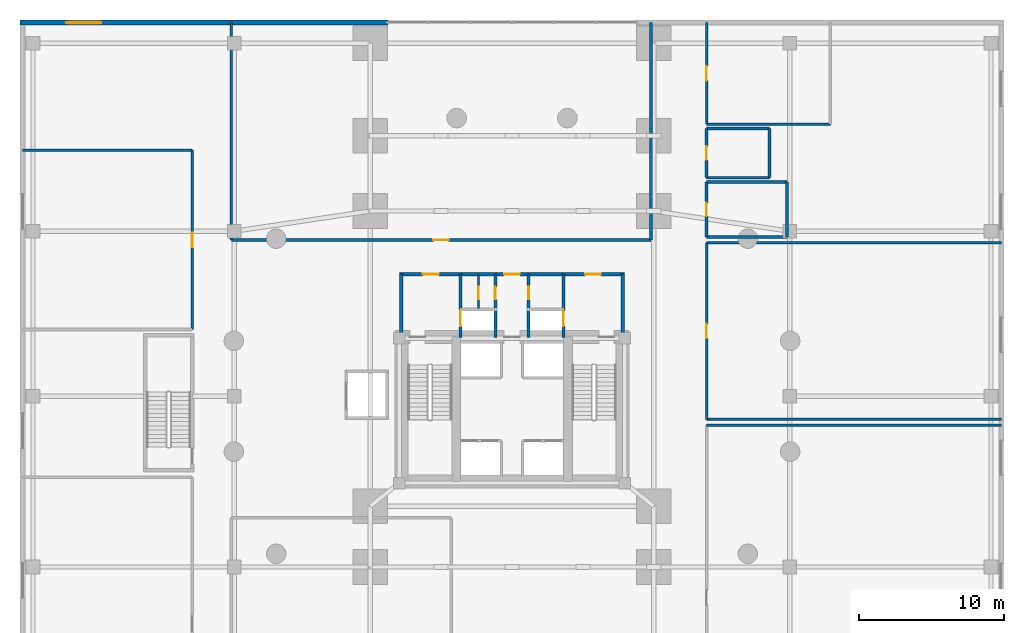
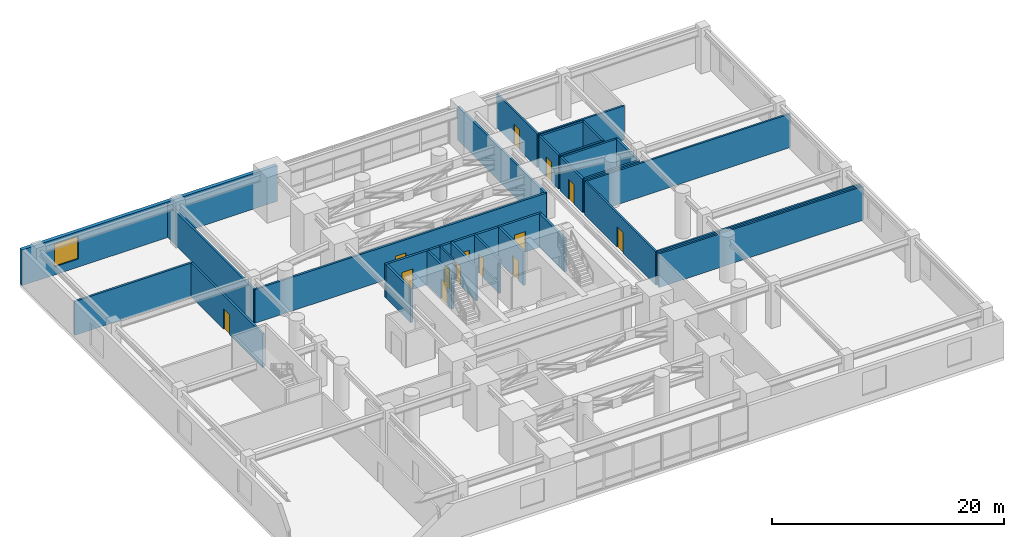
# One storey, part 15 of 17: 30 walls, 14 doors, 1 window, 15 openings.
"""IFC4 building model written with IfcOpenShell, lengths in metres."""

from ifc_helpers import new_model, si_unit, direction, frame, frame_2d, origin, place, context, subcontext, project, spatial, rectangle, extrude, material, layer, layer_set, type_object, element, fill, save


model = new_model("IFC4")

# Units and contexts
model_context = context("Model", 3, precision=1e-05, world=origin(), true_north=direction((0.0, 1.0)))
body_context = subcontext(model_context, "Body", "Model", "MODEL_VIEW")
ifc_project = project(units=[si_unit("LENGTHUNIT", "METRE"), si_unit("AREAUNIT", "SQUARE_METRE"), si_unit("VOLUMEUNIT", "CUBIC_METRE"), si_unit("PLANEANGLEUNIT", "RADIAN"), si_unit("MASSUNIT", "GRAM", prefix="KILO"), si_unit("THERMODYNAMICTEMPERATUREUNIT", "KELVIN"), si_unit("POWERUNIT", "WATT")], contexts=[model_context])

# Site, building, storey
site_placement = place(None, origin())
site = spatial("IfcSite", under=ifc_project, at=site_placement, CompositionType="ELEMENT")
building_placement = place(site_placement, origin())
building = spatial("IfcBuilding", under=site, at=building_placement, Name="Ocrelia Relay Tower", CompositionType="ELEMENT")
storey_placement = place(building_placement, frame((0.0, 0.0, 20.39990234375)))
storey = spatial("IfcBuildingStorey", under=building, at=storey_placement, Name="L04", CompositionType="ELEMENT", Elevation=20.39990234375)

# Wall
ifc_material_1 = material(Name="Gypsum Fireboard Partition EI60", Category="gypsum")
ifc_layer_1 = layer(ifc_material_1, 0.179931640625, Name="Gypsum Fireboard Partition EI60")
ifc_layer_set_1 = layer_set([ifc_layer_1], Name="Gypsum Fireboard Partition EI60")
wall_type_1 = type_object("IfcWallType", Name="W-CORR-EI60-180", PredefinedType="PARTITIONING", material=ifc_layer_set_1)
wall_1_placement = place(storey_placement, frame((67.820068359375, 24.0, 0.0), z_axis=(0.0, 0.0, 1.0), x_axis=(-1.0, 0.0, 0.0)))
element("IfcWall", 1, at=wall_1_placement, inside=storey, type_object=wall_type_1, Name="L04 Optical Peering Exchange Hall N Partition", PredefinedType="PARTITIONING", context=body_context, shape_type="SweptSolid", body=[
    extrude(rectangle(XDim=20.3701171875, YDim=0.179931640625, at=frame_2d((10.18505859375, 0.0))), origin(), (0.0, 0.0, 1.0), 3.56005859375),
])

# Wall, opening, door
wall_2_placement = place(storey_placement, frame((47.449951171875, 36.60009765625, 0.0), z_axis=(0.0, 0.0, 1.0), x_axis=(0.0, -1.0, 0.0)))
wall_2 = element("IfcWall", 2, at=wall_2_placement, inside=storey, type_object=wall_type_1, Name="L04 Infrastructure Planning Office W Partition", PredefinedType="PARTITIONING", context=body_context, shape_type="SweptSolid", body=[
    extrude(rectangle(XDim=12.2001953125, YDim=0.179931640625, at=frame_2d((6.10009765625, 0.0))), origin(), (0.0, 0.0, 1.0), 3.56005859375),
])
opening_1_placement = place(wall_2_placement, frame((5.60009765625, 0.0, 0.0)))
opening_1 = element("IfcOpeningElement", 3, at=opening_1_placement, cuts=wall_2, Name="Opening D-RM100", PredefinedType="OPENING", context=body_context, shape_type="SweptSolid", body=[
    extrude(rectangle(XDim=1.0, YDim=2.14990234375, at=frame_2d((0.5, 1.074951171875))), frame((0.0, 0.10009765625, 0.0), z_axis=(0.0, -1.0, 0.0), x_axis=(1.0, 0.0, 0.0)), (0.0, 0.0, 1.0), 0.199951171875),
])
ifc_material_2 = material(Name="Acoustic oak veneer fire door", Category="wood")
door_type_1 = type_object("IfcDoorType", Name="DR-ROOM-FD60-1000", OperationType="NOTDEFINED", PredefinedType="DOOR", material=ifc_material_2)
door_1_placement = place(opening_1_placement, origin())
door_1 = element("IfcDoor", 4, at=door_1_placement, inside=storey, type_object=door_type_1, Name="L04 Infrastructure Planning Office Door", OperationType="SINGLE_SWING_LEFT", OverallHeight=2.14990234375, OverallWidth=1.0, PredefinedType="DOOR", context=body_context, shape_type="SweptSolid", body=[
    extrude(rectangle(XDim=1.0, YDim=2.14990234375, at=frame_2d((0.5, 1.074951171875))), frame((0.0, 0.02490234375, 0.0), z_axis=(0.0, -1.0, 0.0), x_axis=(1.0, 0.0, 0.0)), (0.0, 0.0, 1.0), 0.050048828125),
])
fill(opening_1, door_1)

# Walls
for number, where, z_axis, x_axis, name in (
    (5, (47.449951171875, 24.39990234375, 0.0), (0.0, 0.0, 1.0), (1.0, 0.0, 0.0), "L04 Infrastructure Planning Office S Partition"),
    (6, (67.820068359375, 36.60009765625, 0.0), (0.0, 0.0, 1.0), (-1.0, 0.0, 0.0), "L04 Infrastructure Planning Office N Partition"),
):
    element("IfcWall", number, at=place(storey_placement, frame(where, z_axis=z_axis, x_axis=x_axis)), inside=storey, type_object=wall_type_1, Name=name, PredefinedType="PARTITIONING", context=body_context, shape_type="SweptSolid", body=[
        extrude(rectangle(XDim=20.3701171875, YDim=0.179931640625, at=frame_2d((10.18505859375, 0.0))), origin(), (0.0, 0.0, 1.0), 3.56005859375),
    ])

# Wall, opening, door
wall_3_placement = place(storey_placement, frame((47.449951171875, 51.820068359375, 0.0), z_axis=(0.0, 0.0, 1.0), x_axis=(0.0, -1.0, 0.0)))
wall_3 = element("IfcWall", 7, at=wall_3_placement, inside=storey, type_object=wall_type_1, Name="L04 Terrace Reading Lounge W Partition", PredefinedType="PARTITIONING", context=body_context, shape_type="SweptSolid", body=[
    extrude(rectangle(XDim=7.02001953125, YDim=0.179931640625, at=frame_2d((3.510009765625, 0.0))), origin(), (0.0, 0.0, 1.0), 3.56005859375),
])
opening_2_placement = place(wall_3_placement, frame((3.010009765625, 0.0, 0.0)))
opening_2 = element("IfcOpeningElement", 8, at=opening_2_placement, cuts=wall_3, Name="Opening D-RM100", PredefinedType="OPENING", context=body_context, shape_type="SweptSolid", body=[
    extrude(rectangle(XDim=1.0, YDim=2.14990234375, at=frame_2d((0.5, 1.074951171875))), frame((0.0, 0.10009765625, 0.0), z_axis=(0.0, -1.0, 0.0), x_axis=(1.0, 0.0, 0.0)), (0.0, 0.0, 1.0), 0.199951171875),
])
door_2_placement = place(opening_2_placement, origin())
door_2 = element("IfcDoor", 9, at=door_2_placement, inside=storey, type_object=door_type_1, Name="L04 Terrace Reading Lounge Door", OperationType="SINGLE_SWING_RIGHT", OverallHeight=2.14990234375, OverallWidth=1.0, PredefinedType="DOOR", context=body_context, shape_type="SweptSolid", body=[
    extrude(rectangle(XDim=1.0, YDim=2.14990234375, at=frame_2d((0.5, 1.074951171875))), frame((0.0, 0.02490234375, 0.0), z_axis=(0.0, -1.0, 0.0), x_axis=(1.0, 0.0, 0.0)), (0.0, 0.0, 1.0), 0.050048828125),
])
fill(opening_2, door_2)

# Wall
wall_4_placement = place(storey_placement, frame((47.449951171875, 44.800048828125, 0.0), z_axis=(0.0, 0.0, 1.0), x_axis=(1.0, 0.0, 0.0)))
element("IfcWall", 10, at=wall_4_placement, inside=storey, type_object=wall_type_1, Name="L04 Terrace Reading Lounge S Partition", PredefinedType="PARTITIONING", context=body_context, shape_type="SweptSolid", body=[
    extrude(rectangle(XDim=8.550048828125, YDim=0.179931640625, at=frame_2d((4.27490234375, 0.0))), origin(), (0.0, 0.0, 1.0), 3.56005859375),
])

# Wall, opening, window
ifc_material_3 = material(Name="Precast concrete C40/50 with oxide terracotta", Category="masonry")
ifc_layer_2 = layer(ifc_material_3, 0.35009765625, Name="Precast concrete C40/50 with oxide terracotta")
ifc_layer_set_2 = layer_set([ifc_layer_2], Name="Precast concrete C40/50 with oxide terracotta")
wall_type_2 = type_object("IfcWallType", Name="W-EXT-POD-350", PredefinedType="SOLIDWALL", material=ifc_layer_set_2)
wall_5_placement = place(storey_placement, frame((0.010009765625, 51.820068359375, 0.0), z_axis=(0.0, 0.0, 1.0), x_axis=(1.0, 0.0, 0.0)))
wall_5 = element("IfcWall", 11, at=wall_5_placement, inside=storey, type_object=wall_type_2, Name="L04 Oxide Terracotta Podium Wall WN", PredefinedType="SOLIDWALL", context=body_context, shape_type="SweptSolid", body=[
    extrude(rectangle(XDim=25.419921875, YDim=0.35009765625, at=frame_2d((12.7099609375, 0.0))), origin(), (0.0, 0.0, 1.0), 3.760009765625),
])
opening_3_placement = place(wall_5_placement, frame((3.199951171875, 0.0, 0.85009765625)))
opening_3 = element("IfcOpeningElement", 12, at=opening_3_placement, cuts=wall_5, Name="Opening W-01", PredefinedType="OPENING", context=body_context, shape_type="SweptSolid", body=[
    extrude(rectangle(XDim=2.39990234375, YDim=2.39990234375, at=frame_2d((1.199951171875, 1.199951171875))), frame((0.0, 0.18505859375, 0.0), z_axis=(0.0, -1.0, 0.0), x_axis=(1.0, 0.0, 0.0)), (0.0, 0.0, 1.0), 0.3701171875),
])
ifc_material_4 = material(Name="Clear double-glazed low-E glass", Category="glass")
window_type = type_object("IfcWindowType", Name="WIN-POD-2400x2600", PartitioningType="SINGLE_PANEL", PredefinedType="WINDOW", material=ifc_material_4)
window_placement = place(opening_3_placement, origin())
window = element("IfcWindow", 13, at=window_placement, inside=storey, type_object=window_type, Name="L04 Podium Punched Window WN-1", OverallHeight=2.39990234375, OverallWidth=2.39990234375, PartitioningType="SINGLE_PANEL", PredefinedType="WINDOW", context=body_context, shape_type="SweptSolid", body=[
    extrude(rectangle(XDim=2.39990234375, YDim=2.39990234375, at=frame_2d((1.199951171875, 1.199951171875))), frame((0.0, 0.030029296875, 0.0), z_axis=(0.0, -1.0, 0.0), x_axis=(1.0, 0.0, 0.0)), (0.0, 0.0, 1.0), 0.06005859375),
])
fill(opening_3, window)

# Wall
ifc_material_5 = material(Name="Concrete C50/60", Category="concrete")
ifc_layer_3 = layer(ifc_material_5, 0.219970703125, Name="Concrete C50/60")
ifc_layer_set_3 = layer_set([ifc_layer_3], Name="Concrete C50/60")
wall_type_3 = type_object("IfcWallType", Name="W-FFL-EI120-220", PredefinedType="SOLIDWALL", material=ifc_layer_set_3)
wall_6_placement = place(storey_placement, frame((26.35009765625, 30.050048828125, 0.0), z_axis=(0.0, 0.0, 1.0), x_axis=(0.0, 1.0, 0.0)))
element("IfcWall", 14, at=wall_6_placement, inside=storey, type_object=wall_type_3, Name="L04 W Fire Service Lift Lobby West Wall", PredefinedType="SOLIDWALL", context=body_context, shape_type="SweptSolid", body=[
    extrude(rectangle(XDim=4.3798828125, YDim=0.219970703125, at=frame_2d((2.18994140625, 0.0))), origin(), (0.0, 0.0, 1.0), 3.56005859375),
])

# Wall, opening, door
wall_7_placement = place(storey_placement, frame((30.43994140625, 30.050048828125, 0.0), z_axis=(0.0, 0.0, 1.0), x_axis=(0.0, 1.0, 0.0)))
wall_7 = element("IfcWall", 15, at=wall_7_placement, inside=storey, type_object=wall_type_3, Name="L04 W Fire Service Lift Lobby East Wall", PredefinedType="SOLIDWALL", context=body_context, shape_type="SweptSolid", body=[
    extrude(rectangle(XDim=4.3798828125, YDim=0.219970703125, at=frame_2d((2.18994140625, 0.0))), origin(), (0.0, 0.0, 1.0), 3.56005859375),
])
opening_4_placement = place(wall_7_placement, frame((0.800048828125, 0.0, 0.0)))
opening_4 = element("IfcOpeningElement", 16, at=opening_4_placement, cuts=wall_7, Name="Opening LD-FFL1", PredefinedType="OPENING", context=body_context, shape_type="SweptSolid", body=[
    extrude(rectangle(XDim=1.050048828125, YDim=2.10009765625, at=frame_2d((0.52490234375, 1.050048828125))), frame((0.0, 0.1201171875, 0.0), z_axis=(0.0, -1.0, 0.0), x_axis=(1.0, 0.0, 0.0)), (0.0, 0.0, 1.0), 0.239990234375),
])
ifc_material_6 = material(Name="Brushed stainless steel S355 lift landing door", Category="steel")
door_type_2 = type_object("IfcDoorType", Name="DR-LIFT-LAND-1050", OperationType="DOUBLE_DOOR_SLIDING", PredefinedType="USERDEFINED", material=ifc_material_6)
door_3_placement = place(opening_4_placement, origin())
door_3 = element("IfcDoor", 17, at=door_3_placement, inside=storey, type_object=door_type_2, Name="L04 Firefighting Lift FFL1 Sliding Landing Door", ObjectType="LANDING DOOR", OperationType="DOUBLE_DOOR_SLIDING", OverallHeight=2.10009765625, OverallWidth=1.050048828125, PredefinedType="USERDEFINED", context=body_context, shape_type="SweptSolid", body=[
    extrude(rectangle(XDim=1.050048828125, YDim=2.10009765625, at=frame_2d((0.52490234375, 1.050048828125))), frame((0.0, 0.02490234375, 0.0), z_axis=(0.0, -1.0, 0.0), x_axis=(1.0, 0.0, 0.0)), (0.0, 0.0, 1.0), 0.050048828125),
])
fill(opening_4, door_3)

wall_8_placement = place(storey_placement, frame((26.239990234375, 34.429931640625, 0.0), z_axis=(0.0, 0.0, 1.0), x_axis=(1.0, 0.0, 0.0)))
wall_8 = element("IfcWall", 18, at=wall_8_placement, inside=storey, type_object=wall_type_3, Name="L04 W Fire Service Lift Lobby North Wall", PredefinedType="SOLIDWALL", context=body_context, shape_type="SweptSolid", body=[
    extrude(rectangle(XDim=4.31005859375, YDim=0.219970703125, at=frame_2d((2.155029296875, 0.0))), origin(), (0.0, 0.0, 1.0), 3.56005859375),
])
opening_5_placement = place(wall_8_placement, frame((1.60009765625, 0.0, 0.0)))
opening_5 = element("IfcOpeningElement", 19, at=opening_5_placement, cuts=wall_8, Name="Opening D-FD60", PredefinedType="OPENING", context=body_context, shape_type="SweptSolid", body=[
    extrude(rectangle(XDim=1.10009765625, YDim=2.14990234375, at=frame_2d((0.550048828125, 1.074951171875))), frame((0.0, 0.1201171875, 0.0), z_axis=(0.0, -1.0, 0.0), x_axis=(1.0, 0.0, 0.0)), (0.0, 0.0, 1.0), 0.239990234375),
])
ifc_material_7 = material(Name="Timber-core 60-min acoustic fire door", Category="wood")
door_type_3 = type_object("IfcDoorType", Name="DR-LOBBY-FD60-1100", OperationType="NOTDEFINED", PredefinedType="DOOR", material=ifc_material_7)
door_4_placement = place(opening_5_placement, origin())
door_4 = element("IfcDoor", 20, at=door_4_placement, inside=storey, type_object=door_type_3, Name="L04 W Fire Service Lift Lobby Exit Door", OperationType="SINGLE_SWING_LEFT", OverallHeight=2.14990234375, OverallWidth=1.10009765625, PredefinedType="DOOR", context=body_context, shape_type="SweptSolid", body=[
    extrude(rectangle(XDim=1.10009765625, YDim=2.14990234375, at=frame_2d((0.550048828125, 1.074951171875))), frame((0.0, 0.02490234375, 0.0), z_axis=(0.0, -1.0, 0.0), x_axis=(1.0, 0.0, 0.0)), (0.0, 0.0, 1.0), 0.050048828125),
])
fill(opening_5, door_4)

wall_9_placement = place(storey_placement, frame((37.56005859375, 30.050048828125, 0.0), z_axis=(0.0, 0.0, 1.0), x_axis=(0.0, 1.0, 0.0)))
wall_9 = element("IfcWall", 21, at=wall_9_placement, inside=storey, type_object=wall_type_3, Name="L04 E Fire Service Lift Lobby West Wall", PredefinedType="SOLIDWALL", context=body_context, shape_type="SweptSolid", body=[
    extrude(rectangle(XDim=4.3798828125, YDim=0.219970703125, at=frame_2d((2.18994140625, 0.0))), origin(), (0.0, 0.0, 1.0), 3.56005859375),
])
opening_6_placement = place(wall_9_placement, frame((0.800048828125, 0.0, 0.0)))
opening_6 = element("IfcOpeningElement", 22, at=opening_6_placement, cuts=wall_9, Name="Opening LD-FFL2", PredefinedType="OPENING", context=body_context, shape_type="SweptSolid", body=[
    extrude(rectangle(XDim=1.050048828125, YDim=2.10009765625, at=frame_2d((0.52490234375, 1.050048828125))), frame((0.0, 0.1201171875, 0.0), z_axis=(0.0, -1.0, 0.0), x_axis=(1.0, 0.0, 0.0)), (0.0, 0.0, 1.0), 0.239990234375),
])
door_5_placement = place(opening_6_placement, origin())
door_5 = element("IfcDoor", 23, at=door_5_placement, inside=storey, type_object=door_type_2, Name="L04 Firefighting Lift FFL2 Sliding Landing Door", ObjectType="LANDING DOOR", OperationType="DOUBLE_DOOR_SLIDING", OverallHeight=2.10009765625, OverallWidth=1.050048828125, PredefinedType="USERDEFINED", context=body_context, shape_type="SweptSolid", body=[
    extrude(rectangle(XDim=1.050048828125, YDim=2.10009765625, at=frame_2d((0.52490234375, 1.050048828125))), frame((0.0, 0.02490234375, 0.0), z_axis=(0.0, -1.0, 0.0), x_axis=(1.0, 0.0, 0.0)), (0.0, 0.0, 1.0), 0.050048828125),
])
fill(opening_6, door_5)

# Wall
wall_10_placement = place(storey_placement, frame((41.64990234375, 30.050048828125, 0.0), z_axis=(0.0, 0.0, 1.0), x_axis=(0.0, 1.0, 0.0)))
element("IfcWall", 24, at=wall_10_placement, inside=storey, type_object=wall_type_3, Name="L04 E Fire Service Lift Lobby East Wall", PredefinedType="SOLIDWALL", context=body_context, shape_type="SweptSolid", body=[
    extrude(rectangle(XDim=4.3798828125, YDim=0.219970703125, at=frame_2d((2.18994140625, 0.0))), origin(), (0.0, 0.0, 1.0), 3.56005859375),
])

# Wall, opening, door
wall_11_placement = place(storey_placement, frame((37.449951171875, 34.429931640625, 0.0), z_axis=(0.0, 0.0, 1.0), x_axis=(1.0, 0.0, 0.0)))
wall_11 = element("IfcWall", 25, at=wall_11_placement, inside=storey, type_object=wall_type_3, Name="L04 E Fire Service Lift Lobby North Wall", PredefinedType="SOLIDWALL", context=body_context, shape_type="SweptSolid", body=[
    extrude(rectangle(XDim=4.31005859375, YDim=0.219970703125, at=frame_2d((2.155029296875, 0.0))), origin(), (0.0, 0.0, 1.0), 3.56005859375),
])
opening_7_placement = place(wall_11_placement, frame((1.60009765625, 0.0, 0.0)))
opening_7 = element("IfcOpeningElement", 26, at=opening_7_placement, cuts=wall_11, Name="Opening D-FD60", PredefinedType="OPENING", context=body_context, shape_type="SweptSolid", body=[
    extrude(rectangle(XDim=1.10009765625, YDim=2.14990234375, at=frame_2d((0.550048828125, 1.074951171875))), frame((0.0, 0.1201171875, 0.0), z_axis=(0.0, -1.0, 0.0), x_axis=(1.0, 0.0, 0.0)), (0.0, 0.0, 1.0), 0.239990234375),
])
door_6_placement = place(opening_7_placement, origin())
door_6 = element("IfcDoor", 27, at=door_6_placement, inside=storey, type_object=door_type_3, Name="L04 E Fire Service Lift Lobby Exit Door", OperationType="SINGLE_SWING_LEFT", OverallHeight=2.14990234375, OverallWidth=1.10009765625, PredefinedType="DOOR", context=body_context, shape_type="SweptSolid", body=[
    extrude(rectangle(XDim=1.10009765625, YDim=2.14990234375, at=frame_2d((0.550048828125, 1.074951171875))), frame((0.0, 0.02490234375, 0.0), z_axis=(0.0, -1.0, 0.0), x_axis=(1.0, 0.0, 0.0)), (0.0, 0.0, 1.0), 0.050048828125),
])
fill(opening_7, door_6)

wall_12_placement = place(storey_placement, frame((30.43994140625, 34.429931640625, 0.0), z_axis=(0.0, 0.0, 1.0), x_axis=(1.0, 0.0, 0.0)))
wall_12 = element("IfcWall", 28, at=wall_12_placement, inside=storey, type_object=wall_type_3, Name="L04 North Core Vestibule Wall", PredefinedType="SOLIDWALL", context=body_context, shape_type="SweptSolid", body=[
    extrude(rectangle(XDim=7.1201171875, YDim=0.219970703125, at=frame_2d((3.56005859375, 0.0))), origin(), (0.0, 0.0, 1.0), 3.56005859375),
])
opening_8_placement = place(wall_12_placement, frame((3.010009765625, 0.0, 0.0)))
opening_8 = element("IfcOpeningElement", 29, at=opening_8_placement, cuts=wall_12, Name="Opening D-FD60", PredefinedType="OPENING", context=body_context, shape_type="SweptSolid", body=[
    extrude(rectangle(XDim=1.10009765625, YDim=2.14990234375, at=frame_2d((0.550048828125, 1.074951171875))), frame((0.0, 0.1201171875, 0.0), z_axis=(0.0, -1.0, 0.0), x_axis=(1.0, 0.0, 0.0)), (0.0, 0.0, 1.0), 0.239990234375),
])
door_7_placement = place(opening_8_placement, origin())
door_7 = element("IfcDoor", 30, at=door_7_placement, inside=storey, type_object=door_type_3, Name="L04 North Core Vestibule Corridor Door", OperationType="SINGLE_SWING_LEFT", OverallHeight=2.14990234375, OverallWidth=1.10009765625, PredefinedType="DOOR", context=body_context, shape_type="SweptSolid", body=[
    extrude(rectangle(XDim=1.10009765625, YDim=2.14990234375, at=frame_2d((0.550048828125, 1.074951171875))), frame((0.0, 0.02490234375, 0.0), z_axis=(0.0, -1.0, 0.0), x_axis=(1.0, 0.0, 0.0)), (0.0, 0.0, 1.0), 0.050048828125),
])
fill(opening_8, door_7)

ifc_material_8 = material(Name="Acoustic Fireboard Partition EI60", Category="gypsum")
ifc_layer_4 = layer(ifc_material_8, 0.14990234375, Name="Acoustic Fireboard Partition EI60")
ifc_layer_set_4 = layer_set([ifc_layer_4], Name="Acoustic Fireboard Partition EI60")
wall_type_4 = type_object("IfcWallType", Name="W-PART-150", PredefinedType="PARTITIONING", material=ifc_layer_set_4)
wall_13_placement = place(storey_placement, frame((31.68994140625, 32.050048828125, 0.0), z_axis=(0.0, 0.0, 1.0), x_axis=(0.0, 1.0, 0.0)))
wall_13 = element("IfcWall", 31, at=wall_13_placement, inside=storey, type_object=wall_type_4, Name="L04 West Core Support Partition", PredefinedType="PARTITIONING", context=body_context, shape_type="SweptSolid", body=[
    extrude(rectangle(XDim=2.329833984375, YDim=0.14990234375, at=frame_2d((1.1650390625, 0.0))), origin(), (0.0, 0.0, 1.0), 3.56005859375),
])
opening_9_placement = place(wall_13_placement, frame((0.64990234375, 0.0, 0.0)))
opening_9 = element("IfcOpeningElement", 32, at=opening_9_placement, cuts=wall_13, Name="Opening D-RS86", PredefinedType="OPENING", context=body_context, shape_type="SweptSolid", body=[
    extrude(rectangle(XDim=0.860107421875, YDim=2.050048828125, at=frame_2d((0.43017578125, 1.02490234375))), frame((0.0, 0.0849609375, 0.0), z_axis=(0.0, -1.0, 0.0), x_axis=(1.0, 0.0, 0.0)), (0.0, 0.0, 1.0), 0.169921875),
])
ifc_material_9 = material(Name="Steel S355 riser access fire door", Category="steel")
door_type_4 = type_object("IfcDoorType", Name="DR-RISER-TRAP-860", OperationType="NOTDEFINED", PredefinedType="TRAPDOOR", material=ifc_material_9)
door_8_placement = place(opening_9_placement, origin())
door_8 = element("IfcDoor", 33, at=door_8_placement, inside=storey, type_object=door_type_4, Name="L04 West Core Store Connecting Door", OperationType="SINGLE_SWING_RIGHT", OverallHeight=2.050048828125, OverallWidth=0.860107421875, PredefinedType="TRAPDOOR", context=body_context, shape_type="SweptSolid", body=[
    extrude(rectangle(XDim=0.860107421875, YDim=2.050048828125, at=frame_2d((0.43017578125, 1.02490234375))), frame((0.0, 0.02490234375, 0.0), z_axis=(0.0, -1.0, 0.0), x_axis=(1.0, 0.0, 0.0)), (0.0, 0.0, 1.0), 0.050048828125),
])
fill(opening_9, door_8)

ifc_material_10 = material(Name="Moisture-Resistant Fireboard Chase Wall EI60", Category="gypsum")
ifc_layer_5 = layer(ifc_material_10, 0.199951171875, Name="Moisture-Resistant Fireboard Chase Wall EI60")
ifc_layer_set_5 = layer_set([ifc_layer_5], Name="Moisture-Resistant Fireboard Chase Wall EI60")
wall_type_5 = type_object("IfcWallType", Name="W-PLUMB-200", PredefinedType="PLUMBINGWALL", material=ifc_layer_set_5)
wall_14_placement = place(storey_placement, frame((11.89990234375, 30.60009765625, 0.0), z_axis=(0.0, 0.0, 1.0), x_axis=(0.0, 1.0, 0.0)))
wall_14 = element("IfcWall", 34, at=wall_14_placement, inside=storey, type_object=wall_type_5, Name="L04 Commercial Servery Kitchen E Partition", PredefinedType="PLUMBINGWALL", context=body_context, shape_type="SweptSolid", body=[
    extrude(rectangle(XDim=12.39990234375, YDim=0.199951171875, at=frame_2d((6.199951171875, 0.0))), origin(), (0.0, 0.0, 1.0), 3.56005859375),
])
opening_10_placement = place(wall_14_placement, frame((5.699951171875, 0.0, 0.0)))
opening_10 = element("IfcOpeningElement", 35, at=opening_10_placement, cuts=wall_14, Name="Opening D-RM100", PredefinedType="OPENING", context=body_context, shape_type="SweptSolid", body=[
    extrude(rectangle(XDim=1.0, YDim=2.14990234375, at=frame_2d((0.5, 1.074951171875))), frame((0.0, 0.10986328125, 0.0), z_axis=(0.0, -1.0, 0.0), x_axis=(1.0, 0.0, 0.0)), (0.0, 0.0, 1.0), 0.219970703125),
])
door_9_placement = place(opening_10_placement, origin())
door_9 = element("IfcDoor", 36, at=door_9_placement, inside=storey, type_object=door_type_1, Name="L04 Commercial Servery Kitchen Door", OperationType="SINGLE_SWING_LEFT", OverallHeight=2.14990234375, OverallWidth=1.0, PredefinedType="DOOR", context=body_context, shape_type="SweptSolid", body=[
    extrude(rectangle(XDim=1.0, YDim=2.14990234375, at=frame_2d((0.5, 1.074951171875))), frame((0.0, 0.02490234375, 0.0), z_axis=(0.0, -1.0, 0.0), x_axis=(1.0, 0.0, 0.0)), (0.0, 0.0, 1.0), 0.050048828125),
])
fill(opening_10, door_9)

# Wall
wall_15_placement = place(storey_placement, frame((11.89990234375, 43.0, 0.0), z_axis=(0.0, 0.0, 1.0), x_axis=(-1.0, 0.0, 0.0)))
element("IfcWall", 37, at=wall_15_placement, inside=storey, type_object=wall_type_5, Name="L04 Commercial Servery Kitchen N Partition", PredefinedType="PLUMBINGWALL", context=body_context, shape_type="SweptSolid", body=[
    extrude(rectangle(XDim=11.719970703125, YDim=0.199951171875, at=frame_2d((5.85986328125, 0.0))), origin(), (0.0, 0.0, 1.0), 3.56005859375),
])

# Wall, opening, door
wall_16_placement = place(storey_placement, frame((47.449951171875, 40.800048828125, 0.0), z_axis=(0.0, 0.0, 1.0), x_axis=(0.0, -1.0, 0.0)))
wall_16 = element("IfcWall", 38, at=wall_16_placement, inside=storey, type_object=wall_type_5, Name="L04 Staff Toilet W Partition", PredefinedType="PLUMBINGWALL", context=body_context, shape_type="SweptSolid", body=[
    extrude(rectangle(XDim=3.800048828125, YDim=0.199951171875, at=frame_2d((1.89990234375, 0.0))), origin(), (0.0, 0.0, 1.0), 3.56005859375),
])
opening_11_placement = place(wall_16_placement, frame((1.43994140625, 0.0, 0.0)))
opening_11 = element("IfcOpeningElement", 39, at=opening_11_placement, cuts=wall_16, Name="Opening D-WC92", PredefinedType="OPENING", context=body_context, shape_type="SweptSolid", body=[
    extrude(rectangle(XDim=0.919921875, YDim=2.10009765625, at=frame_2d((0.4599609375, 1.050048828125))), frame((0.0, 0.10986328125, 0.0), z_axis=(0.0, -1.0, 0.0), x_axis=(1.0, 0.0, 0.0)), (0.0, 0.0, 1.0), 0.219970703125),
])
ifc_material_11 = material(Name="Laminate washroom door", Category="wood")
door_type_5 = type_object("IfcDoorType", Name="DR-WC-920", OperationType="NOTDEFINED", PredefinedType="DOOR", material=ifc_material_11)
door_10_placement = place(opening_11_placement, origin())
door_10 = element("IfcDoor", 40, at=door_10_placement, inside=storey, type_object=door_type_5, Name="L04 Staff Toilet Door", OperationType="SINGLE_SWING_RIGHT", OverallHeight=2.10009765625, OverallWidth=0.919921875, PredefinedType="DOOR", context=body_context, shape_type="SweptSolid", body=[
    extrude(rectangle(XDim=0.919921875, YDim=2.10009765625, at=frame_2d((0.4599609375, 1.050048828125))), frame((0.0, 0.02490234375, 0.0), z_axis=(0.0, -1.0, 0.0), x_axis=(1.0, 0.0, 0.0)), (0.0, 0.0, 1.0), 0.050048828125),
])
fill(opening_11, door_10)

# Walls
wall_17_placement = place(storey_placement, frame((47.449951171875, 37.0, 0.0), z_axis=(0.0, 0.0, 1.0), x_axis=(1.0, 0.0, 0.0)))
element("IfcWall", 41, at=wall_17_placement, inside=storey, type_object=wall_type_5, Name="L04 Staff Toilet S Partition", PredefinedType="PLUMBINGWALL", context=body_context, shape_type="SweptSolid", body=[
    extrude(rectangle(XDim=5.550048828125, YDim=0.199951171875, at=frame_2d((2.77490234375, 0.0))), origin(), (0.0, 0.0, 1.0), 3.56005859375),
])
wall_18_placement = place(storey_placement, frame((53.0, 37.0, 0.0), z_axis=(0.0, 0.0, 1.0), x_axis=(0.0, 1.0, 0.0)))
element("IfcWall", 42, at=wall_18_placement, inside=storey, type_object=wall_type_5, Name="L04 Staff Toilet E Partition", PredefinedType="PLUMBINGWALL", context=body_context, shape_type="SweptSolid", body=[
    extrude(rectangle(XDim=3.800048828125, YDim=0.199951171875, at=frame_2d((1.89990234375, 0.0))), origin(), (0.0, 0.0, 1.0), 3.56005859375),
])
wall_19_placement = place(storey_placement, frame((53.0, 40.800048828125, 0.0), z_axis=(0.0, 0.0, 1.0), x_axis=(-1.0, 0.0, 0.0)))
element("IfcWall", 43, at=wall_19_placement, inside=storey, type_object=wall_type_5, Name="L04 Staff Toilet N Partition", PredefinedType="PLUMBINGWALL", context=body_context, shape_type="SweptSolid", body=[
    extrude(rectangle(XDim=5.550048828125, YDim=0.199951171875, at=frame_2d((2.77490234375, 0.0))), origin(), (0.0, 0.0, 1.0), 3.56005859375),
])

# Wall, opening, door
wall_20_placement = place(storey_placement, frame((47.449951171875, 44.5, 0.0), z_axis=(0.0, 0.0, 1.0), x_axis=(0.0, -1.0, 0.0)))
wall_20 = element("IfcWall", 44, at=wall_20_placement, inside=storey, type_object=wall_type_5, Name="L04 Accessible Toilet W Partition", PredefinedType="PLUMBINGWALL", context=body_context, shape_type="SweptSolid", body=[
    extrude(rectangle(XDim=3.39990234375, YDim=0.199951171875, at=frame_2d((1.699951171875, 0.0))), origin(), (0.0, 0.0, 1.0), 3.56005859375),
])
opening_12_placement = place(wall_20_placement, frame((1.239990234375, 0.0, 0.0)))
opening_12 = element("IfcOpeningElement", 45, at=opening_12_placement, cuts=wall_20, Name="Opening D-WC92", PredefinedType="OPENING", context=body_context, shape_type="SweptSolid", body=[
    extrude(rectangle(XDim=0.919921875, YDim=2.10009765625, at=frame_2d((0.4599609375, 1.050048828125))), frame((0.0, 0.10986328125, 0.0), z_axis=(0.0, -1.0, 0.0), x_axis=(1.0, 0.0, 0.0)), (0.0, 0.0, 1.0), 0.219970703125),
])
door_11_placement = place(opening_12_placement, origin())
door_11 = element("IfcDoor", 46, at=door_11_placement, inside=storey, type_object=door_type_5, Name="L04 Accessible Toilet Door", OperationType="SINGLE_SWING_LEFT", OverallHeight=2.10009765625, OverallWidth=0.919921875, PredefinedType="DOOR", context=body_context, shape_type="SweptSolid", body=[
    extrude(rectangle(XDim=0.919921875, YDim=2.10009765625, at=frame_2d((0.4599609375, 1.050048828125))), frame((0.0, 0.02490234375, 0.0), z_axis=(0.0, -1.0, 0.0), x_axis=(1.0, 0.0, 0.0)), (0.0, 0.0, 1.0), 0.050048828125),
])
fill(opening_12, door_11)

# Walls
wall_21_placement = place(storey_placement, frame((47.449951171875, 41.10009765625, 0.0), z_axis=(0.0, 0.0, 1.0), x_axis=(1.0, 0.0, 0.0)))
element("IfcWall", 47, at=wall_21_placement, inside=storey, type_object=wall_type_5, Name="L04 Accessible Toilet S Partition", PredefinedType="PLUMBINGWALL", context=body_context, shape_type="SweptSolid", body=[
    extrude(rectangle(XDim=4.35009765625, YDim=0.199951171875, at=frame_2d((2.175048828125, 0.0))), origin(), (0.0, 0.0, 1.0), 3.56005859375),
])
wall_22_placement = place(storey_placement, frame((51.800048828125, 41.10009765625, 0.0), z_axis=(0.0, 0.0, 1.0), x_axis=(0.0, 1.0, 0.0)))
element("IfcWall", 48, at=wall_22_placement, inside=storey, type_object=wall_type_5, Name="L04 Accessible Toilet E Partition", PredefinedType="PLUMBINGWALL", context=body_context, shape_type="SweptSolid", body=[
    extrude(rectangle(XDim=3.39990234375, YDim=0.199951171875, at=frame_2d((1.699951171875, 0.0))), origin(), (0.0, 0.0, 1.0), 3.56005859375),
])
wall_23_placement = place(storey_placement, frame((51.800048828125, 44.5, 0.0), z_axis=(0.0, 0.0, 1.0), x_axis=(-1.0, 0.0, 0.0)))
element("IfcWall", 49, at=wall_23_placement, inside=storey, type_object=wall_type_5, Name="L04 Accessible Toilet N Partition", PredefinedType="PLUMBINGWALL", context=body_context, shape_type="SweptSolid", body=[
    extrude(rectangle(XDim=4.35009765625, YDim=0.199951171875, at=frame_2d((2.175048828125, 0.0))), origin(), (0.0, 0.0, 1.0), 3.56005859375),
])

# Wall, opening, door
ifc_layer_6 = layer(ifc_material_5, 0.199951171875, Name="Concrete C50/60")
ifc_layer_set_6 = layer_set([ifc_layer_6], Name="Concrete C50/60")
wall_type_6 = type_object("IfcWallType", Name="W-SHAFT-EI120-200", PredefinedType="SOLIDWALL", material=ifc_layer_set_6)
wall_24_placement = place(storey_placement, frame((32.85009765625, 30.050048828125, 0.0), z_axis=(0.0, 0.0, 1.0), x_axis=(0.0, 1.0, 0.0)))
wall_24 = element("IfcWall", 50, at=wall_24_placement, inside=storey, type_object=wall_type_6, Name="L04 FFL1 and Service Vestibule Wall", PredefinedType="SOLIDWALL", context=body_context, shape_type="SweptSolid", body=[
    extrude(rectangle(XDim=4.3798828125, YDim=0.199951171875, at=frame_2d((2.18994140625, 0.0))), origin(), (0.0, 0.0, 1.0), 3.56005859375),
])
opening_13_placement = place(wall_24_placement, frame((2.64990234375, 0.0, 0.0)))
opening_13 = element("IfcOpeningElement", 51, at=opening_13_placement, cuts=wall_24, Name="Opening D-RS86", PredefinedType="OPENING", context=body_context, shape_type="SweptSolid", body=[
    extrude(rectangle(XDim=0.860107421875, YDim=2.050048828125, at=frame_2d((0.43017578125, 1.02490234375))), frame((0.0, 0.10986328125, 0.0), z_axis=(0.0, -1.0, 0.0), x_axis=(1.0, 0.0, 0.0)), (0.0, 0.0, 1.0), 0.219970703125),
])
door_12_placement = place(opening_13_placement, origin())
door_12 = element("IfcDoor", 52, at=door_12_placement, inside=storey, type_object=door_type_4, Name="L04 Core Support Room W Door", OperationType="SINGLE_SWING_RIGHT", OverallHeight=2.050048828125, OverallWidth=0.860107421875, PredefinedType="TRAPDOOR", context=body_context, shape_type="SweptSolid", body=[
    extrude(rectangle(XDim=0.860107421875, YDim=2.050048828125, at=frame_2d((0.43017578125, 1.02490234375))), frame((0.0, 0.02490234375, 0.0), z_axis=(0.0, -1.0, 0.0), x_axis=(1.0, 0.0, 0.0)), (0.0, 0.0, 1.0), 0.050048828125),
])
fill(opening_13, door_12)

wall_25_placement = place(storey_placement, frame((35.14990234375, 30.050048828125, 0.0), z_axis=(0.0, 0.0, 1.0), x_axis=(0.0, 1.0, 0.0)))
wall_25 = element("IfcWall", 53, at=wall_25_placement, inside=storey, type_object=wall_type_6, Name="L04 FFL2 and Service Vestibule Wall", PredefinedType="SOLIDWALL", context=body_context, shape_type="SweptSolid", body=[
    extrude(rectangle(XDim=4.3798828125, YDim=0.199951171875, at=frame_2d((2.18994140625, 0.0))), origin(), (0.0, 0.0, 1.0), 3.56005859375),
])
opening_14_placement = place(wall_25_placement, frame((2.64990234375, 0.0, 0.0)))
opening_14 = element("IfcOpeningElement", 54, at=opening_14_placement, cuts=wall_25, Name="Opening D-RS86", PredefinedType="OPENING", context=body_context, shape_type="SweptSolid", body=[
    extrude(rectangle(XDim=0.860107421875, YDim=2.050048828125, at=frame_2d((0.43017578125, 1.02490234375))), frame((0.0, 0.10986328125, 0.0), z_axis=(0.0, -1.0, 0.0), x_axis=(1.0, 0.0, 0.0)), (0.0, 0.0, 1.0), 0.219970703125),
])
door_13_placement = place(opening_14_placement, origin())
door_13 = element("IfcDoor", 55, at=door_13_placement, inside=storey, type_object=door_type_4, Name="L04 Core Support Room E Door", OperationType="SINGLE_SWING_RIGHT", OverallHeight=2.050048828125, OverallWidth=0.860107421875, PredefinedType="TRAPDOOR", context=body_context, shape_type="SweptSolid", body=[
    extrude(rectangle(XDim=0.860107421875, YDim=2.050048828125, at=frame_2d((0.43017578125, 1.02490234375))), frame((0.0, 0.02490234375, 0.0), z_axis=(0.0, -1.0, 0.0), x_axis=(1.0, 0.0, 0.0)), (0.0, 0.0, 1.0), 0.050048828125),
])
fill(opening_14, door_13)

wall_26_placement = place(storey_placement, frame((14.60009765625, 36.800048828125, 0.0), z_axis=(0.0, 0.0, 1.0), x_axis=(1.0, 0.0, 0.0)))
wall_26 = element("IfcWall", 56, at=wall_26_placement, inside=storey, type_object=wall_type_6, Name="L04 North Transfer Truss Mechanical Room S Partition", PredefinedType="SOLIDWALL", context=body_context, shape_type="SweptSolid", body=[
    extrude(rectangle(XDim=29.0, YDim=0.199951171875, at=frame_2d((14.5, 0.0))), origin(), (0.0, 0.0, 1.0), 3.56005859375),
])
opening_15_placement = place(wall_26_placement, frame((13.97509765625, 0.0, 0.0)))
opening_15 = element("IfcOpeningElement", 57, at=opening_15_placement, cuts=wall_26, Name="Opening D-FD90", PredefinedType="OPENING", context=body_context, shape_type="SweptSolid", body=[
    extrude(rectangle(XDim=1.050048828125, YDim=2.14990234375, at=frame_2d((0.52490234375, 1.074951171875))), frame((0.0, 0.10986328125, 0.0), z_axis=(0.0, -1.0, 0.0), x_axis=(1.0, 0.0, 0.0)), (0.0, 0.0, 1.0), 0.219970703125),
])
ifc_material_12 = material(Name="Steel S355 90-min fire door", Category="steel")
door_type_6 = type_object("IfcDoorType", Name="DR-STAIR-FD90-1050", OperationType="NOTDEFINED", PredefinedType="DOOR", material=ifc_material_12)
door_14_placement = place(opening_15_placement, origin())
door_14 = element("IfcDoor", 58, at=door_14_placement, inside=storey, type_object=door_type_6, Name="L04 North Transfer Truss Mechanical Room Door", OperationType="SINGLE_SWING_LEFT", OverallHeight=2.14990234375, OverallWidth=1.050048828125, PredefinedType="DOOR", context=body_context, shape_type="SweptSolid", body=[
    extrude(rectangle(XDim=1.050048828125, YDim=2.14990234375, at=frame_2d((0.52490234375, 1.074951171875))), frame((0.0, 0.02490234375, 0.0), z_axis=(0.0, -1.0, 0.0), x_axis=(1.0, 0.0, 0.0)), (0.0, 0.0, 1.0), 0.050048828125),
])
fill(opening_15, door_14)

# Walls
for number, where, z_axis, x_axis, name in (
    (59, (43.60009765625, 36.800048828125, 0.0), (0.0, 0.0, 1.0), (0.0, 1.0, 0.0), "L04 North Transfer Truss Mechanical Room E Partition"),
    (60, (14.60009765625, 51.820068359375, 0.0), (0.0, 0.0, 1.0), (0.0, -1.0, 0.0), "L04 North Transfer Truss Mechanical Room W Partition"),
):
    element("IfcWall", number, at=place(storey_placement, frame(where, z_axis=z_axis, x_axis=x_axis)), inside=storey, type_object=wall_type_6, Name=name, PredefinedType="SOLIDWALL", context=body_context, shape_type="SweptSolid", body=[
        extrude(rectangle(XDim=15.02001953125, YDim=0.199951171875, at=frame_2d((7.510009765625, 0.0))), origin(), (0.0, 0.0, 1.0), 3.56005859375),
    ])

save(model, "model.ifc")
